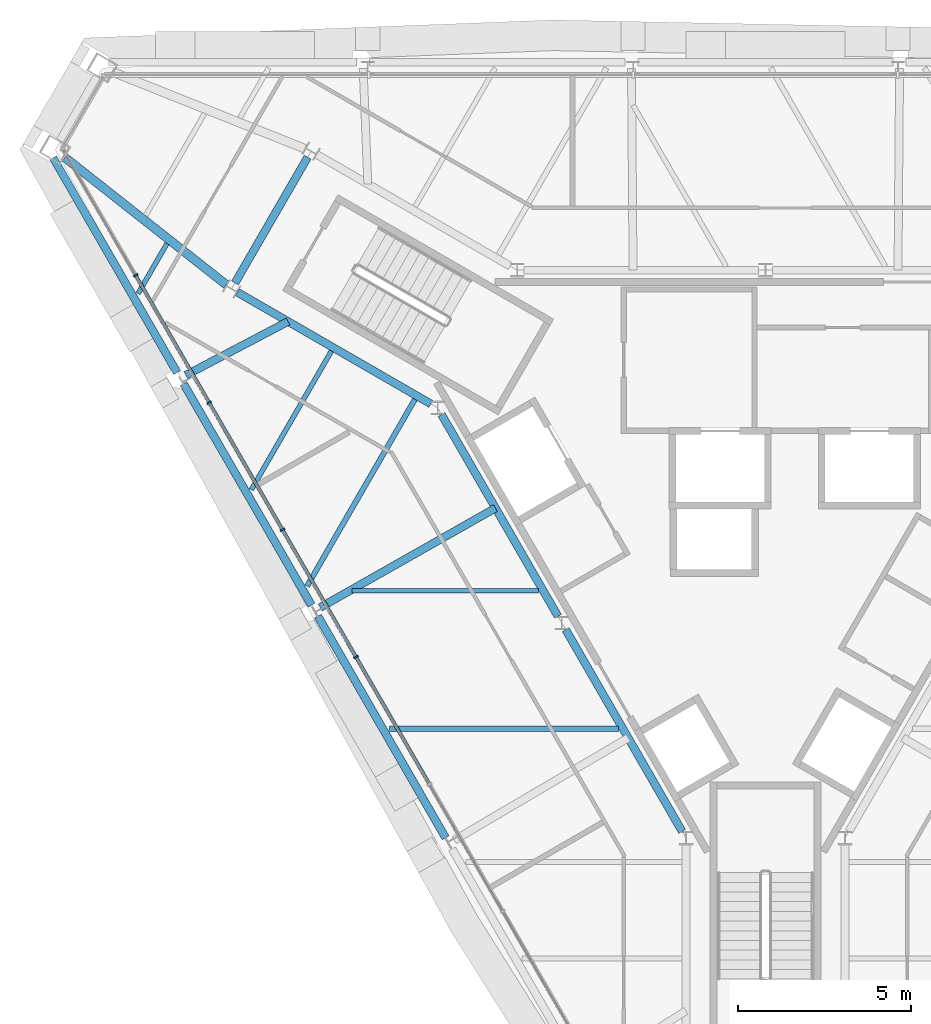
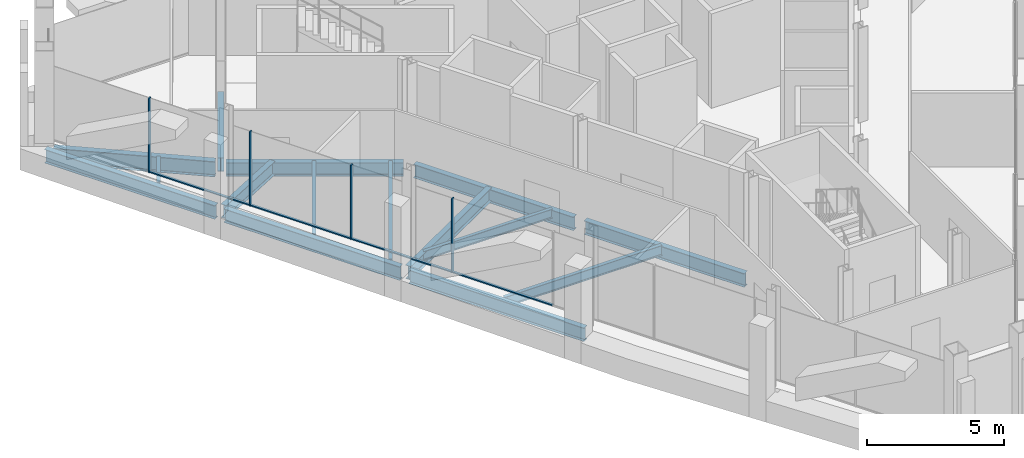
# One storey, part 4 of 13: 15 beams, 8 members, 1 element without a shape of its own.
"""IFC4 building model written with IfcOpenShell, lengths in metres."""

from ifc_helpers import new_model, si_unit, direction, frame, origin, origin_2d, place, context, subcontext, project, spatial, rectangle, i_section, extrude, material, material_profile, profile_set, type_object, element, aggregate, save


model = new_model("IFC4")

# Units and contexts
model_context = context("Model", 3, precision=1e-05, world=origin(), true_north=direction((0.0, 1.0)))
body_context = subcontext(model_context, "Body", "Model", "MODEL_VIEW")
ifc_project = project(units=[si_unit("LENGTHUNIT", "METRE"), si_unit("AREAUNIT", "SQUARE_METRE"), si_unit("VOLUMEUNIT", "CUBIC_METRE"), si_unit("PLANEANGLEUNIT", "RADIAN"), si_unit("MASSUNIT", "GRAM", prefix="KILO")], contexts=[model_context])

# Site, building, storey
site_placement = place(None, origin())
site = spatial("IfcSite", under=ifc_project, at=site_placement, CompositionType="ELEMENT")
building_placement = place(site_placement, origin())
building = spatial("IfcBuilding", under=site, at=building_placement, Name="Verrane Prism Tower", CompositionType="ELEMENT")
storey_placement = place(building_placement, frame((0.0, 0.0, 308.39990234375)))
storey = spatial("IfcBuildingStorey", under=building, at=storey_placement, Name="L78", CompositionType="ELEMENT", Elevation=308.39990234375)

# Beams
ifc_material_1 = material(Name="Steel A992", Category="steel")
ifc_material_profile_1 = material_profile(ifc_material_1, i_section(OverallWidth=0.228271484375, OverallDepth=0.607177734375, WebThickness=0.01123046875, FlangeThickness=0.017333984375, FilletRadius=0.0126953125, at=origin_2d()), Name="W24x76")
ifc_profile_set_1 = profile_set([ifc_material_profile_1], Name="Steel A992")
beam_type_1 = type_object("IfcBeamType", Name="Core ring girder W24x76", PredefinedType="BEAM", material=ifc_profile_set_1)
beam_1_placement = place(storey_placement, frame((-13.23974609375, 10.0673828125, -0.553466796875), z_axis=(-0.500323136493, -0.865838760445, 0.0), x_axis=(0.865838760445, -0.500323136493, 0.0)))
element("IfcBeam", 1, at=beam_1_placement, inside=storey, type_object=beam_type_1, Name="Core ring girder L78", PredefinedType="BEAM", context=body_context, shape_type="SweptSolid", body=[
    extrude(i_section(OverallWidth=0.228271484375, OverallDepth=0.607177734375, WebThickness=0.01123046875, FlangeThickness=0.017333984375, FilletRadius=0.0126953125, at=origin_2d()), origin(), (0.0, 0.0, 1.0), 4.197998046875),
])
beam_2_placement = place(storey_placement, frame((-15.272705078125, 6.16357421875, -0.553466796875), z_axis=(0.866076057046, -0.499912255713, 0.0), x_axis=(0.499912255713, 0.866076057046, 0.0)))
element("IfcBeam", 2, at=beam_2_placement, inside=storey, type_object=beam_type_1, Name="Core ring girder L78", PredefinedType="BEAM", context=body_context, shape_type="SweptSolid", body=[
    extrude(i_section(OverallWidth=0.228271484375, OverallDepth=0.607177734375, WebThickness=0.01123046875, FlangeThickness=0.017333984375, FilletRadius=0.0126953125, at=origin_2d()), origin(), (0.0, 0.0, 1.0), 6.458251953125),
])
for number, where, z_axis, x_axis, name in (
    (3, (-9.36865234375, 2.626953125, -0.553466796875), (0.499881421193, -0.866093854468, 0.0), (0.866093854468, 0.499881421193, 0.0), "Core ring girder L78"),
    (4, (-5.778564453125, -3.593017578125, -0.553466796875), (0.499881421193, -0.866093854468, 0.0), (0.866093854468, 0.499881421193, 0.0), "Core ring girder L78"),
):
    element("IfcBeam", number, at=place(storey_placement, frame(where, z_axis=z_axis, x_axis=x_axis)), inside=storey, type_object=beam_type_1, Name=name, PredefinedType="BEAM", context=body_context, shape_type="SweptSolid", body=[
        extrude(i_section(OverallWidth=0.228271484375, OverallDepth=0.607177734375, WebThickness=0.01123046875, FlangeThickness=0.017333984375, FilletRadius=0.0126953125, at=origin_2d()), origin(), (0.0, 0.0, 1.0), 6.736083984375),
    ])
ifc_material_2 = material(Name="Steel A992", Category="steel")
ifc_material_profile_2 = material_profile(ifc_material_2, i_section(OverallWidth=0.25390625, OverallDepth=0.683349609375, WebThickness=0.012451171875, FlangeThickness=0.01904296875, FilletRadius=0.01513671875, at=origin_2d()), Name="W27x94")
ifc_profile_set_2 = profile_set([ifc_material_profile_2], Name="Steel A992")
beam_type_2 = type_object("IfcBeamType", Name="Corner girder W27x94", PredefinedType="BEAM", material=ifc_profile_set_2)
beam_3_placement = place(storey_placement, frame((-20.26220703125, 10.06103515625, -0.5615234375), z_axis=(0.785339810319, -0.619064925777, 0.0), x_axis=(0.619064925777, 0.785339810319, 0.0)))
element("IfcBeam", 5, at=beam_3_placement, inside=storey, type_object=beam_type_2, Name="Corner girder L78", PredefinedType="BEAM", context=body_context, shape_type="SweptSolid", body=[
    extrude(i_section(OverallWidth=0.25390625, OverallDepth=0.683349609375, WebThickness=0.012451171875, FlangeThickness=0.01904296875, FilletRadius=0.01513671875, at=origin_2d()), origin(), (0.0, 0.0, 1.0), 5.945068359375),
])
ifc_material_3 = material(Name="Steel A992", Category="steel")
ifc_material_profile_3 = material_profile(ifc_material_3, i_section(OverallWidth=0.140380859375, OverallDepth=0.40380859375, WebThickness=0.007080078125, FlangeThickness=0.01123046875, FilletRadius=0.01025390625, at=origin_2d()), Name="W16x31")
ifc_profile_set_3 = profile_set([ifc_material_profile_3], Name="Steel A992")
beam_type_3 = type_object("IfcBeamType", Name="Floor beam W16x31", PredefinedType="BEAM", material=ifc_profile_set_3)
beam_4_placement = place(storey_placement, frame((-18.142578125, 6.123779296875, -0.36181640625), z_axis=(0.499912255713, 0.866076057046, 0.0), x_axis=(-0.866076057046, 0.499912255713, 0.0)))
element("IfcBeam", 6, at=beam_4_placement, inside=storey, type_object=beam_type_3, Name="Floor beam L78", PredefinedType="BEAM", context=body_context, shape_type="SweptSolid", body=[
    extrude(i_section(OverallWidth=0.140380859375, OverallDepth=0.40380859375, WebThickness=0.007080078125, FlangeThickness=0.01123046875, FilletRadius=0.01025390625, at=origin_2d()), origin(), (0.0, 0.0, 1.0), 1.670166015625),
])
beam_5_placement = place(storey_placement, frame((-14.8671875, 0.453369140625, -0.36181640625), z_axis=(0.500013101342, 0.866017839589, 0.0), x_axis=(-0.866017839589, 0.500013101342, 0.0)))
element("IfcBeam", 7, at=beam_5_placement, inside=storey, type_object=beam_type_3, Name="Floor beam L78", PredefinedType="BEAM", context=body_context, shape_type="SweptSolid", body=[
    extrude(i_section(OverallWidth=0.140380859375, OverallDepth=0.40380859375, WebThickness=0.007080078125, FlangeThickness=0.01123046875, FilletRadius=0.01025390625, at=origin_2d()), origin(), (0.0, 0.0, 1.0), 4.62939453125),
])
beam_6_placement = place(storey_placement, frame((-11.95166015625, -2.469970703125, -0.36181640625), z_axis=(1.0, 0.0, 0.0), x_axis=(0.0, 1.0, 0.0)))
element("IfcBeam", 8, at=beam_6_placement, inside=storey, type_object=beam_type_3, Name="Floor beam L78", PredefinedType="BEAM", context=body_context, shape_type="SweptSolid", body=[
    extrude(i_section(OverallWidth=0.140380859375, OverallDepth=0.40380859375, WebThickness=0.007080078125, FlangeThickness=0.01123046875, FilletRadius=0.01025390625, at=origin_2d()), origin(), (0.0, 0.0, 1.0), 5.39208984375),
])
ifc_material_4 = material(Name="Steel A992", Category="steel")
ifc_material_profile_4 = material_profile(ifc_material_4, i_section(OverallWidth=0.15234375, OverallDepth=0.449462890625, WebThickness=0.007568359375, FlangeThickness=0.0107421875, FilletRadius=0.01025390625, at=origin_2d()), Name="W18x35")
ifc_profile_set_4 = profile_set([ifc_material_profile_4], Name="Steel A992")
beam_type_4 = type_object("IfcBeamType", Name="Floor beam W18x35", PredefinedType="BEAM", material=ifc_profile_set_4)
beam_7_placement = place(storey_placement, frame((-13.255615234375, -2.33349609375, -0.384765625), z_axis=(0.499991270124, 0.866030443922, 0.0), x_axis=(-0.866030443922, 0.499991270124, 0.0)))
element("IfcBeam", 9, at=beam_7_placement, inside=storey, type_object=beam_type_4, Name="Floor beam L78", PredefinedType="BEAM", context=body_context, shape_type="SweptSolid", body=[
    extrude(i_section(OverallWidth=0.15234375, OverallDepth=0.449462890625, WebThickness=0.007568359375, FlangeThickness=0.0107421875, FilletRadius=0.01025390625, at=origin_2d()), origin(), (0.0, 0.0, 1.0), 6.23681640625),
])
beam_8_placement = place(storey_placement, frame((-10.877197265625, -6.4599609375, -0.384765625), z_axis=(1.0, 0.0, 0.0), x_axis=(0.0, 1.0, 0.0)))
element("IfcBeam", 10, at=beam_8_placement, inside=storey, type_object=beam_type_4, Name="Floor beam L78", PredefinedType="BEAM", context=body_context, shape_type="SweptSolid", body=[
    extrude(i_section(OverallWidth=0.15234375, OverallDepth=0.449462890625, WebThickness=0.007568359375, FlangeThickness=0.0107421875, FilletRadius=0.01025390625, at=origin_2d()), origin(), (0.0, 0.0, 1.0), 6.625244140625),
])

# Curtain wall, members
ifc_material_5 = material(Name="Aluminium framed insulated glazing", Category="aluminium")
curtain_wall_type = type_object("IfcCurtainWallType", Name="Curtain wall CW-C 4200 module", PredefinedType="NOTDEFINED", material=ifc_material_5)
curtain_wall_placement = place(storey_placement, origin())
curtain_wall = element("IfcCurtainWall", 11, at=curtain_wall_placement, inside=storey, type_object=curtain_wall_type, Name="Glazed curtain wall south-west face L78", PredefinedType="NOTDEFINED")
ifc_material_6 = material(Name="Aluminium alloy 6063-T6", Category="aluminium")
ifc_material_profile_5 = material_profile(ifc_material_6, rectangle(XDim=0.139892578125, YDim=0.050048828125, at=origin_2d()), Name="Mullion 50x140 aluminium")
ifc_profile_set_5 = profile_set([ifc_material_profile_5], Name="Aluminium alloy 6063-T6")
member_type_1 = type_object("IfcMemberType", Name="Mullion 50x140 aluminium", PredefinedType="MULLION", material=ifc_profile_set_5)
member_1_placement = place(storey_placement, frame((-18.212890625, 6.651123046875, 0.0), z_axis=(0.0, 0.0, 1.0), x_axis=(0.866025278644, 0.500000216749, 0.0)))
member_1 = element("IfcMember", 12, at=member_1_placement, type_object=member_type_1, Name="CW78.4 mullion 2", PredefinedType="MULLION", context=body_context, shape_type="SweptSolid", body=[
    extrude(rectangle(XDim=0.139892578125, YDim=0.050048828125, at=origin_2d()), origin(), (0.0, 0.0, 1.0), 3.296875),
])
member_2_placement = place(storey_placement, frame((-16.089111328125, 2.97265625, 0.0), z_axis=(0.0, 0.0, 1.0), x_axis=(0.866025278644, 0.500000216749, 0.0)))
member_2 = element("IfcMember", 13, at=member_2_placement, type_object=member_type_1, Name="CW78.4 mullion 3", PredefinedType="MULLION", context=body_context, shape_type="SweptSolid", body=[
    extrude(rectangle(XDim=0.139892578125, YDim=0.050048828125, at=origin_2d()), origin(), (0.0, 0.0, 1.0), 3.296875),
])
member_3_placement = place(storey_placement, frame((-13.96533203125, -0.705810546875, 0.0), z_axis=(0.0, 0.0, 1.0), x_axis=(0.866025278644, 0.500000216749, 0.0)))
member_3 = element("IfcMember", 14, at=member_3_placement, type_object=member_type_1, Name="CW78.4 mullion 4", PredefinedType="MULLION", context=body_context, shape_type="SweptSolid", body=[
    extrude(rectangle(XDim=0.139892578125, YDim=0.050048828125, at=origin_2d()), origin(), (0.0, 0.0, 1.0), 3.296875),
])
member_4_placement = place(storey_placement, frame((-11.841552734375, -4.38427734375, 0.0), z_axis=(0.0, 0.0, 1.0), x_axis=(0.866025278644, 0.500000216749, 0.0)))
member_4 = element("IfcMember", 15, at=member_4_placement, type_object=member_type_1, Name="CW78.4 mullion 5", PredefinedType="MULLION", context=body_context, shape_type="SweptSolid", body=[
    extrude(rectangle(XDim=0.139892578125, YDim=0.050048828125, at=origin_2d()), origin(), (0.0, 0.0, 1.0), 3.296875),
])

# Beams
ifc_material_7 = material(Name="Steel A992", Category="steel")
ifc_material_profile_6 = material_profile(ifc_material_7, i_section(OverallWidth=0.228271484375, OverallDepth=0.607177734375, WebThickness=0.01123046875, FlangeThickness=0.017333984375, FilletRadius=0.0126953125, at=origin_2d()), Name="W24x76")
ifc_profile_set_6 = profile_set([ifc_material_profile_6], Name="Steel A992")
beam_type_5 = type_object("IfcBeamType", Name="Radial girder W24x76", PredefinedType="BEAM", material=ifc_profile_set_6)
beam_9_placement = place(storey_placement, frame((-16.759765625, 3.76513671875, -0.5234375), z_axis=(0.88527666462, 0.465064755792, 0.0), x_axis=(-0.465064755792, 0.88527666462, 0.0)))
element("IfcBeam", 16, at=beam_9_placement, inside=storey, type_object=beam_type_5, Name="Radial girder L78", PredefinedType="BEAM", context=body_context, shape_type="SweptSolid", body=[
    extrude(i_section(OverallWidth=0.228271484375, OverallDepth=0.607177734375, WebThickness=0.01123046875, FlangeThickness=0.017333984375, FilletRadius=0.0126953125, at=origin_2d()), origin(), (0.0, 0.0, 1.0), 3.336669921875),
])
beam_10_placement = place(storey_placement, frame((-12.876220703125, -2.951904296875, -0.5234375), z_axis=(0.869842405914, 0.493329695917, 0.0), x_axis=(-0.493329695917, 0.869842405914, 0.0)))
element("IfcBeam", 17, at=beam_10_placement, inside=storey, type_object=beam_type_5, Name="Radial girder L78", PredefinedType="BEAM", context=body_context, shape_type="SweptSolid", body=[
    extrude(i_section(OverallWidth=0.228271484375, OverallDepth=0.607177734375, WebThickness=0.01123046875, FlangeThickness=0.017333984375, FilletRadius=0.0126953125, at=origin_2d()), origin(), (0.0, 0.0, 1.0), 5.82666015625),
])
ifc_material_8 = material(Name="Steel A992", Category="steel")
ifc_material_profile_7 = material_profile(ifc_material_8, i_section(OverallWidth=0.228271484375, OverallDepth=0.607177734375, WebThickness=0.01123046875, FlangeThickness=0.017333984375, FilletRadius=0.0126953125, at=origin_2d()), Name="W24x76")
ifc_profile_set_7 = profile_set([ifc_material_profile_7], Name="Steel A992")
beam_type_6 = type_object("IfcBeamType", Name="Spandrel beam W24x76", PredefinedType="SPANDREL", material=ifc_profile_set_7)
beam_11_placement = place(storey_placement, frame((-20.598388671875, 10.0517578125, -0.46337890625), z_axis=(0.499651701324, -0.866226400755, 0.0), x_axis=(0.866226400755, 0.499651701324, 0.0)))
element("IfcBeam", 18, at=beam_11_placement, inside=storey, type_object=beam_type_6, Name="Spandrel beam L78", PredefinedType="SPANDREL", context=body_context, shape_type="SweptSolid", body=[
    extrude(i_section(OverallWidth=0.228271484375, OverallDepth=0.607177734375, WebThickness=0.01123046875, FlangeThickness=0.017333984375, FilletRadius=0.0126953125, at=origin_2d()), origin(), (0.0, 0.0, 1.0), 7.16943359375),
])
beam_12_placement = place(storey_placement, frame((-16.829345703125, 3.51806640625, -0.46337890625), z_axis=(0.500482835785, -0.865746458892, 0.0), x_axis=(0.865746458892, 0.500482835785, 0.0)))
element("IfcBeam", 19, at=beam_12_placement, inside=storey, type_object=beam_type_6, Name="Spandrel beam L78", PredefinedType="SPANDREL", context=body_context, shape_type="SweptSolid", body=[
    extrude(i_section(OverallWidth=0.228271484375, OverallDepth=0.607177734375, WebThickness=0.01123046875, FlangeThickness=0.017333984375, FilletRadius=0.0126953125, at=origin_2d()), origin(), (0.0, 0.0, 1.0), 7.391845703125),
])
beam_13_placement = place(storey_placement, frame((-12.943359375, -3.20458984375, -0.46337890625), z_axis=(0.499307867729, -0.866424637937, 0.0), x_axis=(0.866424637937, 0.499307867729, 0.0)))
element("IfcBeam", 20, at=beam_13_placement, inside=storey, type_object=beam_type_6, Name="Spandrel beam L78", PredefinedType="SPANDREL", context=body_context, shape_type="SweptSolid", body=[
    extrude(i_section(OverallWidth=0.228271484375, OverallDepth=0.607177734375, WebThickness=0.01123046875, FlangeThickness=0.017333984375, FilletRadius=0.0126953125, at=origin_2d()), origin(), (0.0, 0.0, 1.0), 7.39306640625),
])

# Member
ifc_material_9 = material(Name="Aluminium alloy 6063-T6", Category="aluminium")
ifc_material_profile_8 = material_profile(ifc_material_9, rectangle(XDim=0.10009765625, YDim=0.050048828125, at=origin_2d()), Name="Transom 50x100 aluminium")
ifc_profile_set_8 = profile_set([ifc_material_profile_8], Name="Aluminium alloy 6063-T6")
member_type_2 = type_object("IfcMemberType", Name="Transom 50x100 aluminium", PredefinedType="USERDEFINED", material=ifc_profile_set_8)
member_5_placement = place(storey_placement, frame((-18.200439453125, 6.62939453125, 0.025146484375), z_axis=(0.500036287034, -0.866004452442, 0.0), x_axis=(0.866004452442, 0.500036287034, 0.0)))
member_5 = element("IfcMember", 21, at=member_5_placement, type_object=member_type_2, Name="CW78.4 transom 2", ObjectType="TRANSOM", PredefinedType="USERDEFINED", context=body_context, shape_type="SweptSolid", body=[
    extrude(rectangle(XDim=0.10009765625, YDim=0.050048828125, at=origin_2d()), origin(), (0.0, 0.0, 1.0), 4.197509765625),
])

member_6_placement = place(storey_placement, frame((-16.07666015625, 2.950927734375, 0.025146484375), z_axis=(0.500011101102, -0.866018994465, 0.0), x_axis=(0.866018994465, 0.500011101102, 0.0)))
member_6 = element("IfcMember", 22, at=member_6_placement, type_object=member_type_2, Name="CW78.4 transom 3", ObjectType="TRANSOM", PredefinedType="USERDEFINED", context=body_context, shape_type="SweptSolid", body=[
    extrude(rectangle(XDim=0.10009765625, YDim=0.050048828125, at=origin_2d()), origin(), (0.0, 0.0, 1.0), 4.19775390625),
])

member_7_placement = place(storey_placement, frame((-13.952880859375, -0.7275390625, 0.025146484375), z_axis=(0.500011101102, -0.866018994465, 0.0), x_axis=(0.866018994465, 0.500011101102, 0.0)))
member_7 = element("IfcMember", 23, at=member_7_placement, type_object=member_type_2, Name="CW78.4 transom 4", ObjectType="TRANSOM", PredefinedType="USERDEFINED", context=body_context, shape_type="SweptSolid", body=[
    extrude(rectangle(XDim=0.10009765625, YDim=0.050048828125, at=origin_2d()), origin(), (0.0, 0.0, 1.0), 4.19775390625),
])

member_8_placement = place(storey_placement, frame((-11.8291015625, -4.406005859375, 0.025146484375), z_axis=(0.500011101102, -0.866018994465, 0.0), x_axis=(0.866018994465, 0.500011101102, 0.0)))
member_8 = element("IfcMember", 24, at=member_8_placement, type_object=member_type_2, Name="CW78.4 transom 5", ObjectType="TRANSOM", PredefinedType="USERDEFINED", context=body_context, shape_type="SweptSolid", body=[
    extrude(rectangle(XDim=0.10009765625, YDim=0.050048828125, at=origin_2d()), origin(), (0.0, 0.0, 1.0), 4.19775390625),
])

aggregate(curtain_wall, [member_1, member_2, member_3, member_4, member_5, member_6, member_7, member_8])

save(model, "model.ifc")
